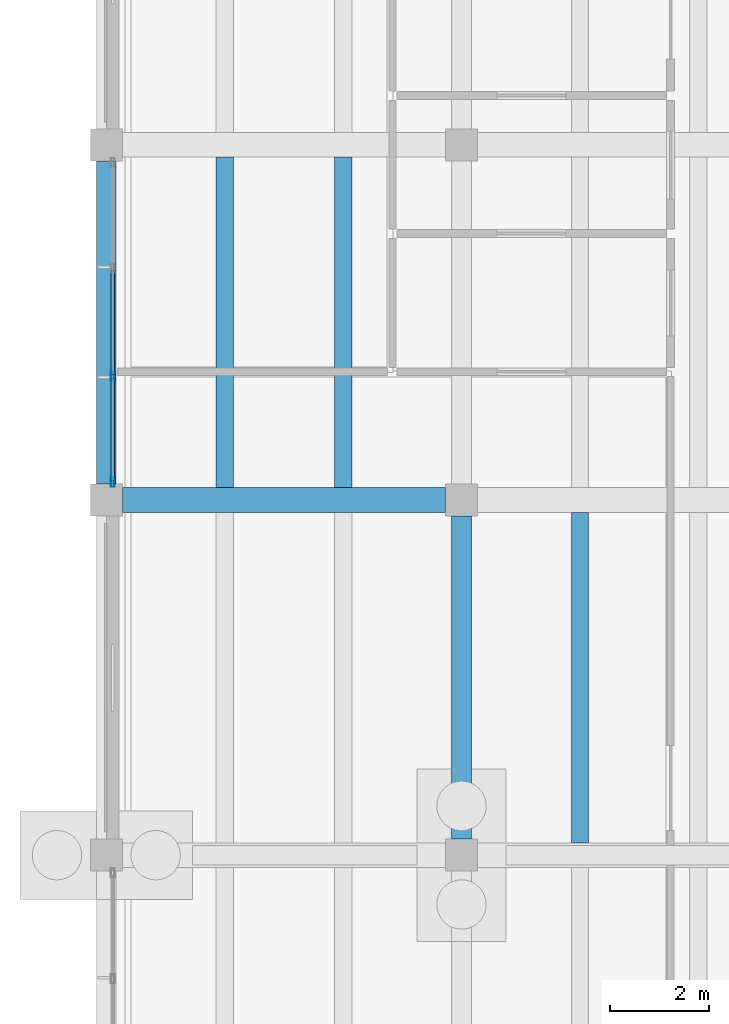
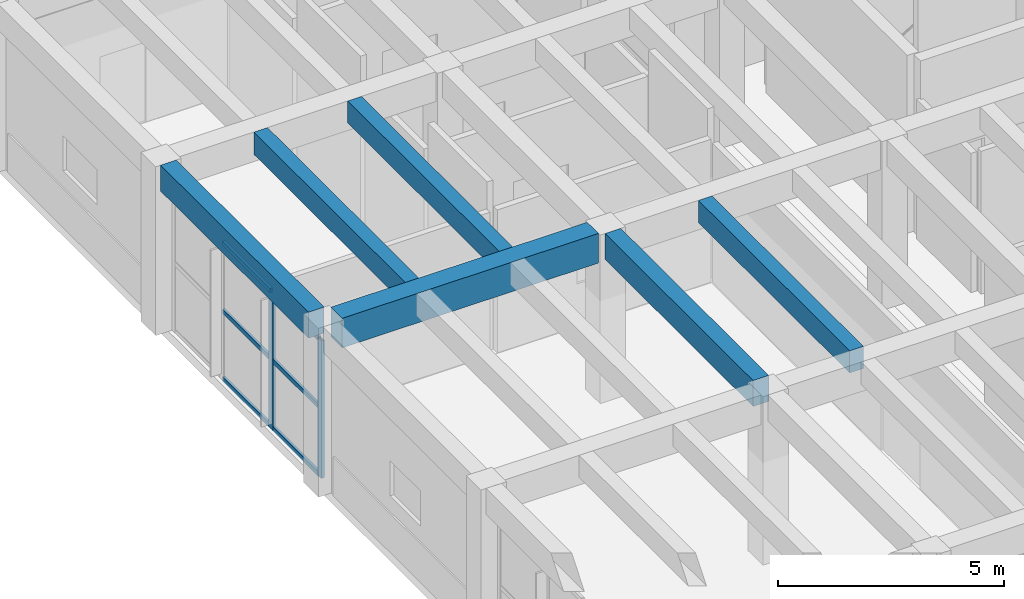
# One storey, part 61 of 155: 8 members, 6 beams, 1 element without a shape of its own.
"""IFC4 building model written with IfcOpenShell, lengths in metres."""

from ifc_helpers import new_model, si_unit, direction, frame, origin, origin_2d, place, context, subcontext, project, spatial, rectangle, hollow_rectangle, extrude, material, material_profile, profile_set, type_object, element, aggregate, save


model = new_model("IFC4")

# Units and contexts
model_context = context("Model", 3, precision=1e-05, world=origin(), true_north=direction((0.0, 1.0)))
body_context = subcontext(model_context, "Body", "Model", "MODEL_VIEW")
ifc_project = project(units=[si_unit("LENGTHUNIT", "METRE"), si_unit("AREAUNIT", "SQUARE_METRE"), si_unit("VOLUMEUNIT", "CUBIC_METRE"), si_unit("PLANEANGLEUNIT", "RADIAN"), si_unit("MASSUNIT", "GRAM", prefix="KILO")], contexts=[model_context])

# Site, building, storey
site_placement = place(None, origin())
site = spatial("IfcSite", under=ifc_project, at=site_placement, CompositionType="ELEMENT")
building_placement = place(site_placement, origin())
building = spatial("IfcBuilding", under=site, at=building_placement, Name="Bramvelor Terrace Health Centre", CompositionType="ELEMENT")
storey_placement = place(building_placement, origin())
storey = spatial("IfcBuildingStorey", under=building, at=storey_placement, Name="L01", CompositionType="ELEMENT", Elevation=0.0)

# Beams
ifc_material_1 = material(Name="Concrete C40/50", Category="concrete")
ifc_material_profile_1 = material_profile(ifc_material_1, rectangle(XDim=0.39990234375, YDim=0.699951171875, at=origin_2d()), Name="RC 400x700")
ifc_profile_set_1 = profile_set([ifc_material_profile_1], Name="Concrete C40/50")
beam_type_1 = type_object("IfcBeamType", Name="BM-RC-G700", PredefinedType="BEAM", material=ifc_profile_set_1)
beam_1_placement = place(storey_placement, frame((7.199951171875, 79.52490234375, 4.2099609375), z_axis=(0.0, 1.0, 0.0), x_axis=(-1.0, 0.0, 0.0)))
element("IfcBeam", 1, at=beam_1_placement, inside=storey, type_object=beam_type_1, Name="L01 Floor Girder", PredefinedType="BEAM", context=body_context, shape_type="SweptSolid", body=[
    extrude(rectangle(XDim=0.39990234375, YDim=0.699951171875, at=origin_2d()), origin(), (0.0, 0.0, 1.0), 6.550048828125),
])
ifc_material_2 = material(Name="Concrete C40/50", Category="concrete")
ifc_material_profile_2 = material_profile(ifc_material_2, rectangle(XDim=0.5, YDim=0.800048828125, at=origin_2d()), Name="RC 500x800")
ifc_profile_set_2 = profile_set([ifc_material_profile_2], Name="Concrete C40/50")
beam_type_2 = type_object("IfcBeamType", Name="BM-RC-G800", PredefinedType="BEAM", material=ifc_profile_set_2)
beam_2_placement = place(storey_placement, frame((0.324951171875, 86.39990234375, 4.159912109375), z_axis=(1.0, 0.0, 0.0), x_axis=(0.0, 1.0, 0.0)))
element("IfcBeam", 2, at=beam_2_placement, inside=storey, type_object=beam_type_2, Name="L01 Floor Girder", PredefinedType="BEAM", context=body_context, shape_type="SweptSolid", body=[
    extrude(rectangle(XDim=0.5, YDim=0.800048828125, at=origin_2d()), origin(), (0.0, 0.0, 1.0), 6.550048828125),
])
ifc_material_3 = material(Name="Concrete C40/50", Category="concrete")
ifc_material_profile_3 = material_profile(ifc_material_3, rectangle(XDim=0.35009765625, YDim=0.60009765625, at=origin_2d()), Name="RC 350x600")
ifc_profile_set_3 = profile_set([ifc_material_profile_3], Name="Concrete C40/50")
beam_type_3 = type_object("IfcBeamType", Name="BM-RC-J600", PredefinedType="JOIST", material=ifc_profile_set_3)
for number, where, z_axis, x_axis, name in (
    (3, (2.39990234375, 86.64990234375, 4.260009765625), (0.0, 1.0, 0.0), (-1.0, 0.0, 0.0), "L01 Secondary Floor Joist"),
    (4, (4.800048828125, 86.64990234375, 4.260009765625), (0.0, 1.0, 0.0), (-1.0, 0.0, 0.0), "L01 Secondary Floor Joist"),
):
    element("IfcBeam", number, at=place(storey_placement, frame(where, z_axis=z_axis, x_axis=x_axis)), inside=storey, type_object=beam_type_3, Name=name, PredefinedType="JOIST", context=body_context, shape_type="SweptSolid", body=[
        extrude(rectangle(XDim=0.35009765625, YDim=0.60009765625, at=origin_2d()), origin(), (0.0, 0.0, 1.0), 6.7001953125),
    ])
beam_3_placement = place(storey_placement, frame((9.60009765625, 79.449951171875, 4.260009765625), z_axis=(0.0, 1.0, 0.0), x_axis=(-1.0, 0.0, 0.0)))
element("IfcBeam", 5, at=beam_3_placement, inside=storey, type_object=beam_type_3, Name="L01 Secondary Floor Joist", PredefinedType="JOIST", context=body_context, shape_type="SweptSolid", body=[
    extrude(rectangle(XDim=0.35009765625, YDim=0.60009765625, at=origin_2d()), origin(), (0.0, 0.0, 1.0), 6.699951171875),
])
ifc_material_4 = material(Name="Concrete C40/50", Category="concrete")
ifc_material_profile_4 = material_profile(ifc_material_4, rectangle(XDim=0.39990234375, YDim=0.699951171875, at=origin_2d()), Name="RC 400x700")
ifc_profile_set_4 = profile_set([ifc_material_profile_4], Name="Concrete C40/50")
beam_type_4 = type_object("IfcBeamType", Name="BM-RC-SP700-EXT", PredefinedType="SPANDREL", material=ifc_profile_set_4)
beam_4_placement = place(storey_placement, frame((0.0, 86.72509765625, 4.2099609375), z_axis=(0.0, 1.0, 0.0), x_axis=(-1.0, 0.0, 0.0)))
element("IfcBeam", 6, at=beam_4_placement, inside=storey, type_object=beam_type_4, Name="L01 Floor Girder", PredefinedType="SPANDREL", context=body_context, shape_type="SweptSolid", body=[
    extrude(rectangle(XDim=0.39990234375, YDim=0.699951171875, at=origin_2d()), origin(), (0.0, 0.0, 1.0), 6.5498046875),
])

# Curtain wall, members
ifc_material_5 = material(Name="Anodized aluminium and double low-E glass", Category="aluminium")
curtain_wall_type = type_object("IfcCurtainWallType", Name="CW-SYS-02", PredefinedType="NOTDEFINED", material=ifc_material_5)
curtain_wall_placement = place(storey_placement, origin())
curtain_wall = element("IfcCurtainWall", 7, at=curtain_wall_placement, inside=storey, type_object=curtain_wall_type, Name="L01 Unitized Curtain Wall 16", PredefinedType="NOTDEFINED")
ifc_material_6 = material(Name="Anodized aluminium 6063-T6", Category="aluminium")
ifc_material_profile_5 = material_profile(ifc_material_6, hollow_rectangle(XDim=0.074951171875, YDim=0.179931640625, WallThickness=0.00341796875, at=origin_2d()), Name="ALU-MUL 75x180x3.5")
ifc_profile_set_5 = profile_set([ifc_material_profile_5], Name="Anodized aluminium 6063-T6")
member_type_1 = type_object("IfcMemberType", Name="CW-MUL-65x180", PredefinedType="MULLION", material=ifc_profile_set_5)
member_1_placement = place(storey_placement, frame((0.1298828125, 86.757568359375, 0.0), z_axis=(0.0, 0.0, 1.0), x_axis=(-1.0, 0.0, 0.0)))
member_1 = element("IfcMember", 8, at=member_1_placement, type_object=member_type_1, Name="CW-02 mullion 1", PredefinedType="MULLION", context=body_context, shape_type="SweptSolid", body=[
    extrude(hollow_rectangle(XDim=0.074951171875, YDim=0.179931640625, WallThickness=0.00341796875, at=origin_2d()), origin(), (0.0, 0.0, 1.0), 3.719970703125),
])
member_2_placement = place(storey_placement, frame((0.1298828125, 88.90673828125, 0.0), z_axis=(0.0, 0.0, 1.0), x_axis=(-1.0, 0.0, 0.0)))
member_2 = element("IfcMember", 9, at=member_2_placement, type_object=member_type_1, Name="CW-02 mullion 2", PredefinedType="MULLION", context=body_context, shape_type="SweptSolid", body=[
    extrude(hollow_rectangle(XDim=0.074951171875, YDim=0.179931640625, WallThickness=0.00341796875, at=origin_2d()), origin(), (0.0, 0.0, 1.0), 3.719970703125),
])
ifc_material_7 = material(Name="Anodized aluminium 6063-T6", Category="aluminium")
ifc_material_profile_6 = material_profile(ifc_material_7, hollow_rectangle(XDim=0.06494140625, YDim=0.1201171875, WallThickness=0.0029296875, at=origin_2d()), Name="ALU-TRN 65x120x3.0")
ifc_profile_set_6 = profile_set([ifc_material_profile_6], Name="Anodized aluminium 6063-T6")
member_type_2 = type_object("IfcMemberType", Name="CW-TRN-65x150", PredefinedType="USERDEFINED", material=ifc_profile_set_6)
member_3_placement = place(storey_placement, frame((0.1298828125, 86.794921875, 0.032470703125), z_axis=(0.0, 1.0, 0.0), x_axis=(-1.0, 0.0, 0.0)))
member_3 = element("IfcMember", 10, at=member_3_placement, type_object=member_type_2, Name="CW-02 transom 1.1", ObjectType="TRANSOM", PredefinedType="USERDEFINED", context=body_context, shape_type="SweptSolid", body=[
    extrude(hollow_rectangle(XDim=0.06494140625, YDim=0.1201171875, WallThickness=0.0029296875, at=origin_2d()), origin(), (0.0, 0.0, 1.0), 2.07421875),
])
member_4_placement = place(storey_placement, frame((0.1298828125, 86.794921875, 1.860107421875), z_axis=(0.0, 1.0, 0.0), x_axis=(-1.0, 0.0, 0.0)))
member_4 = element("IfcMember", 11, at=member_4_placement, type_object=member_type_2, Name="CW-02 transom 1.2", ObjectType="TRANSOM", PredefinedType="USERDEFINED", context=body_context, shape_type="SweptSolid", body=[
    extrude(hollow_rectangle(XDim=0.06494140625, YDim=0.1201171875, WallThickness=0.0029296875, at=origin_2d()), origin(), (0.0, 0.0, 1.0), 2.07421875),
])
member_5_placement = place(storey_placement, frame((0.1298828125, 86.794921875, 3.6875), z_axis=(0.0, 1.0, 0.0), x_axis=(-1.0, 0.0, 0.0)))
member_5 = element("IfcMember", 12, at=member_5_placement, type_object=member_type_2, Name="CW-02 transom 1.3", ObjectType="TRANSOM", PredefinedType="USERDEFINED", context=body_context, shape_type="SweptSolid", body=[
    extrude(hollow_rectangle(XDim=0.06494140625, YDim=0.1201171875, WallThickness=0.0029296875, at=origin_2d()), origin(), (0.0, 0.0, 1.0), 2.07421875),
])
member_6_placement = place(storey_placement, frame((0.1298828125, 88.944091796875, 0.032470703125), z_axis=(0.0, 1.0, 0.0), x_axis=(-1.0, 0.0, 0.0)))
member_6 = element("IfcMember", 13, at=member_6_placement, type_object=member_type_2, Name="CW-02 transom 2.1", ObjectType="TRANSOM", PredefinedType="USERDEFINED", context=body_context, shape_type="SweptSolid", body=[
    extrude(hollow_rectangle(XDim=0.06494140625, YDim=0.1201171875, WallThickness=0.0029296875, at=origin_2d()), origin(), (0.0, 0.0, 1.0), 2.11181640625),
])
member_7_placement = place(storey_placement, frame((0.1298828125, 88.944091796875, 1.860107421875), z_axis=(0.0, 1.0, 0.0), x_axis=(-1.0, 0.0, 0.0)))
member_7 = element("IfcMember", 14, at=member_7_placement, type_object=member_type_2, Name="CW-02 transom 2.2", ObjectType="TRANSOM", PredefinedType="USERDEFINED", context=body_context, shape_type="SweptSolid", body=[
    extrude(hollow_rectangle(XDim=0.06494140625, YDim=0.1201171875, WallThickness=0.0029296875, at=origin_2d()), origin(), (0.0, 0.0, 1.0), 2.11181640625),
])
member_8_placement = place(storey_placement, frame((0.1298828125, 88.944091796875, 3.6875), z_axis=(0.0, 1.0, 0.0), x_axis=(-1.0, 0.0, 0.0)))
member_8 = element("IfcMember", 15, at=member_8_placement, type_object=member_type_2, Name="CW-02 transom 2.3", ObjectType="TRANSOM", PredefinedType="USERDEFINED", context=body_context, shape_type="SweptSolid", body=[
    extrude(hollow_rectangle(XDim=0.06494140625, YDim=0.1201171875, WallThickness=0.0029296875, at=origin_2d()), origin(), (0.0, 0.0, 1.0), 2.11181640625),
])
aggregate(curtain_wall, [member_1, member_2, member_3, member_4, member_5, member_6, member_7, member_8])

save(model, "model.ifc")
